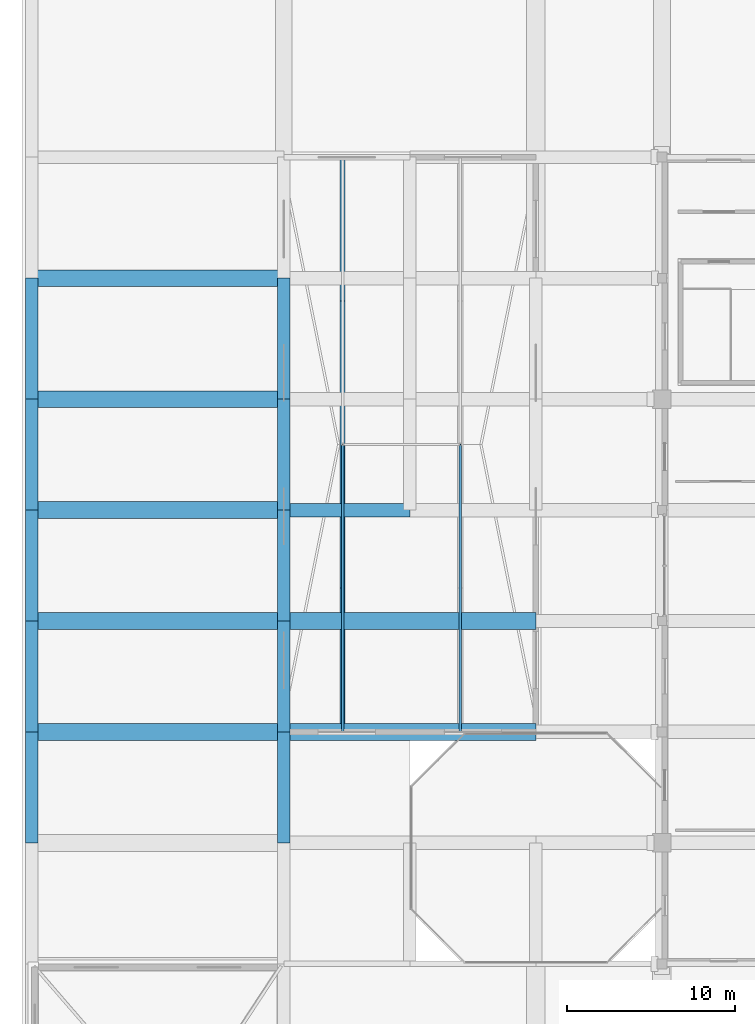
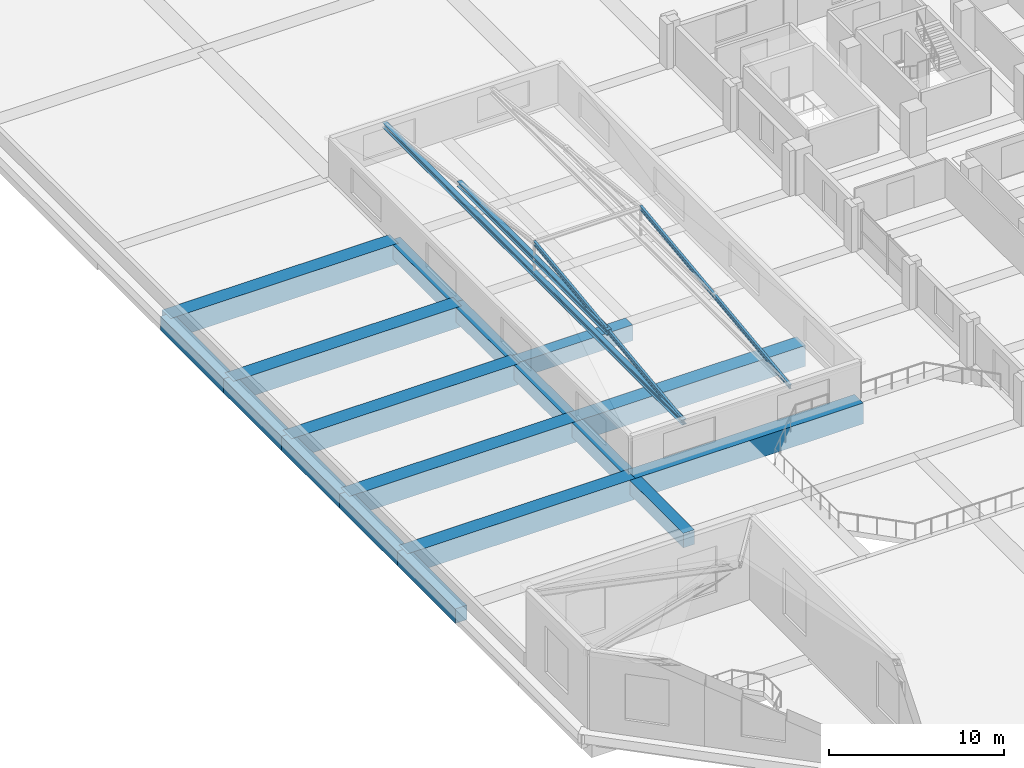
# One storey, part 4 of 49: 18 beams, 4 members.
"""IFC4 building model written with IfcOpenShell, lengths in metres."""

from ifc_helpers import new_model, si_unit, direction, frame, origin, origin_2d, place, context, subcontext, project, spatial, rectangle, i_section, extrude, material, material_profile, profile_set, type_object, element, save


model = new_model("IFC4")

# Units and contexts
model_context = context("Model", 3, precision=1e-05, world=origin(), true_north=direction((0.0, 1.0)))
body_context = subcontext(model_context, "Body", "Model", "MODEL_VIEW")
ifc_project = project(units=[si_unit("LENGTHUNIT", "METRE"), si_unit("AREAUNIT", "SQUARE_METRE"), si_unit("VOLUMEUNIT", "CUBIC_METRE"), si_unit("PLANEANGLEUNIT", "RADIAN"), si_unit("MASSUNIT", "GRAM", prefix="KILO")], contexts=[model_context])

# Site, building, storey
site_placement = place(None, origin())
site = spatial("IfcSite", under=ifc_project, at=site_placement, CompositionType="ELEMENT")
building_placement = place(site_placement, origin())
building = spatial("IfcBuilding", under=site, at=building_placement, Name="Akrevak Sports Hall", CompositionType="ELEMENT")
storey_placement = place(building_placement, frame((0.0, 0.0, 24.14990234375)))
storey = spatial("IfcBuildingStorey", under=building, at=storey_placement, Name="L04", CompositionType="ELEMENT", Elevation=24.14990234375)

# Beams
ifc_material_1 = material(Name="Concrete C50/60", Category="concrete")
ifc_material_profile_1 = material_profile(ifc_material_1, rectangle(XDim=1.0, YDim=1.449951171875, at=origin_2d()), Name="BM 1000x1450", Category="concrete")
ifc_profile_set_1 = profile_set([ifc_material_profile_1], Name="Concrete C50/60")
beam_type_1 = type_object("IfcBeamType", Name="STR-BM-LG1000x1450", PredefinedType="BEAM", material=ifc_profile_set_1)
for number, where, z_axis, x_axis, name in (
    (1, (0.0, 35.39990234375, -0.724853515625), (1.0, 0.0, 0.0), (0.0, 1.0, 0.0), "Girder F/1-3 (L04)"),
    (2, (15.0, 35.39990234375, -0.724853515625), (1.0, 0.0, 0.0), (0.0, 1.0, 0.0), "Girder F/3-5 (L04)"),
    (3, (0.0, 42.0, -0.724853515625), (1.0, 0.0, 0.0), (0.0, 1.0, 0.0), "Girder G/1-3 (L04)"),
    (4, (15.0, 42.0, -0.724853515625), (1.0, 0.0, 0.0), (0.0, 1.0, 0.0), "Girder G/3-5 (L04)"),
    (5, (0.0, 48.60009765625, -0.724853515625), (1.0, 0.0, 0.0), (0.0, 1.0, 0.0), "Girder H/1-3 (L04)"),
    (6, (0.0, 55.199951171875, -0.724853515625), (1.0, 0.0, 0.0), (0.0, 1.0, 0.0), "Girder I/1-3 (L04)"),
    (7, (0.0, 62.39990234375, -0.724853515625), (1.0, 0.0, 0.0), (0.0, 1.0, 0.0), "Girder J/1-3 (L04)"),
):
    element("IfcBeam", number, at=place(storey_placement, frame(where, z_axis=z_axis, x_axis=x_axis)), inside=storey, type_object=beam_type_1, Name=name, PredefinedType="BEAM", context=body_context, shape_type="SweptSolid", body=[
        extrude(rectangle(XDim=1.0, YDim=1.449951171875, at=origin_2d()), origin(), (0.0, 0.0, 1.0), 15.0),
    ])
ifc_material_profile_2 = material_profile(ifc_material_1, rectangle(XDim=0.75, YDim=1.0, at=origin_2d()), Name="BM 750x1000", Category="concrete")
ifc_profile_set_2 = profile_set([ifc_material_profile_2], Name="Concrete C50/60")
beam_type_2 = type_object("IfcBeamType", Name="STR-BM-RC750x1000", PredefinedType="BEAM", material=ifc_profile_set_2)
beam_1_placement = place(storey_placement, frame((0.0, 28.800048828125, -0.5), z_axis=(0.0, 1.0, 0.0), x_axis=(-1.0, 0.0, 0.0)))
element("IfcBeam", 8, at=beam_1_placement, inside=storey, type_object=beam_type_2, Name="Girder 1/E-F (L04)", PredefinedType="BEAM", context=body_context, shape_type="SweptSolid", body=[
    extrude(rectangle(XDim=0.75, YDim=1.0, at=origin_2d()), origin(), (0.0, 0.0, 1.0), 6.599853515625),
])
for number, where, z_axis, x_axis, name in (
    (9, (0.0, 35.39990234375, -0.5), (0.0, 1.0, 0.0), (-1.0, 0.0, 0.0), "Girder 1/F-G (L04)"),
    (10, (0.0, 42.0, -0.5), (0.0, 1.0, 0.0), (-1.0, 0.0, 0.0), "Girder 1/G-H (L04)"),
):
    element("IfcBeam", number, at=place(storey_placement, frame(where, z_axis=z_axis, x_axis=x_axis)), inside=storey, type_object=beam_type_2, Name=name, PredefinedType="BEAM", context=body_context, shape_type="SweptSolid", body=[
        extrude(rectangle(XDim=0.75, YDim=1.0, at=origin_2d()), origin(), (0.0, 0.0, 1.0), 6.60009765625),
    ])
beam_2_placement = place(storey_placement, frame((0.0, 48.60009765625, -0.5), z_axis=(0.0, 1.0, 0.0), x_axis=(-1.0, 0.0, 0.0)))
element("IfcBeam", 11, at=beam_2_placement, inside=storey, type_object=beam_type_2, Name="Girder 1/H-I (L04)", PredefinedType="BEAM", context=body_context, shape_type="SweptSolid", body=[
    extrude(rectangle(XDim=0.75, YDim=1.0, at=origin_2d()), origin(), (0.0, 0.0, 1.0), 6.599853515625),
])
beam_3_placement = place(storey_placement, frame((0.0, 55.199951171875, -0.5), z_axis=(0.0, 1.0, 0.0), x_axis=(-1.0, 0.0, 0.0)))
element("IfcBeam", 12, at=beam_3_placement, inside=storey, type_object=beam_type_2, Name="Girder 1/I-J (L04)", PredefinedType="BEAM", context=body_context, shape_type="SweptSolid", body=[
    extrude(rectangle(XDim=0.75, YDim=1.0, at=origin_2d()), origin(), (0.0, 0.0, 1.0), 7.199951171875),
])
beam_4_placement = place(storey_placement, frame((15.0, 28.800048828125, -0.5), z_axis=(0.0, 1.0, 0.0), x_axis=(-1.0, 0.0, 0.0)))
element("IfcBeam", 13, at=beam_4_placement, inside=storey, type_object=beam_type_2, Name="Girder 3/E-F (L04)", PredefinedType="BEAM", context=body_context, shape_type="SweptSolid", body=[
    extrude(rectangle(XDim=0.75, YDim=1.0, at=origin_2d()), origin(), (0.0, 0.0, 1.0), 6.599853515625),
])
for number, where, z_axis, x_axis, name in (
    (14, (15.0, 35.39990234375, -0.5), (0.0, 1.0, 0.0), (-1.0, 0.0, 0.0), "Girder 3/F-G (L04)"),
    (15, (15.0, 42.0, -0.5), (0.0, 1.0, 0.0), (-1.0, 0.0, 0.0), "Girder 3/G-H (L04)"),
):
    element("IfcBeam", number, at=place(storey_placement, frame(where, z_axis=z_axis, x_axis=x_axis)), inside=storey, type_object=beam_type_2, Name=name, PredefinedType="BEAM", context=body_context, shape_type="SweptSolid", body=[
        extrude(rectangle(XDim=0.75, YDim=1.0, at=origin_2d()), origin(), (0.0, 0.0, 1.0), 6.60009765625),
    ])
beam_5_placement = place(storey_placement, frame((15.0, 48.60009765625, -0.5), z_axis=(0.0, 1.0, 0.0), x_axis=(-1.0, 0.0, 0.0)))
element("IfcBeam", 16, at=beam_5_placement, inside=storey, type_object=beam_type_2, Name="Girder 3/H-I (L04)", PredefinedType="BEAM", context=body_context, shape_type="SweptSolid", body=[
    extrude(rectangle(XDim=0.75, YDim=1.0, at=origin_2d()), origin(), (0.0, 0.0, 1.0), 6.599853515625),
])
beam_6_placement = place(storey_placement, frame((15.0, 55.199951171875, -0.5), z_axis=(0.0, 1.0, 0.0), x_axis=(-1.0, 0.0, 0.0)))
element("IfcBeam", 17, at=beam_6_placement, inside=storey, type_object=beam_type_2, Name="Girder 3/I-J (L04)", PredefinedType="BEAM", context=body_context, shape_type="SweptSolid", body=[
    extrude(rectangle(XDim=0.75, YDim=1.0, at=origin_2d()), origin(), (0.0, 0.0, 1.0), 7.199951171875),
])
ifc_material_profile_3 = material_profile(ifc_material_1, rectangle(XDim=0.800048828125, YDim=1.10009765625, at=origin_2d()), Name="BM 800x1100", Category="concrete")
ifc_profile_set_3 = profile_set([ifc_material_profile_3], Name="Concrete C50/60")
beam_type_3 = type_object("IfcBeamType", Name="STR-BM-RC800x1100", PredefinedType="BEAM", material=ifc_profile_set_3)
beam_7_placement = place(storey_placement, frame((15.0, 48.60009765625, -0.5498046875), z_axis=(1.0, 0.0, 0.0), x_axis=(0.0, 1.0, 0.0)))
element("IfcBeam", 18, at=beam_7_placement, inside=storey, type_object=beam_type_3, Name="Girder H/3-4 (L04)", PredefinedType="BEAM", context=body_context, shape_type="SweptSolid", body=[
    extrude(rectangle(XDim=0.800048828125, YDim=1.10009765625, at=origin_2d()), origin(), (0.0, 0.0, 1.0), 7.5),
])

# Members
ifc_material_2 = material(Name="Steel S355", Category="steel")
ifc_material_profile_4 = material_profile(ifc_material_2, i_section(OverallWidth=0.300048828125, OverallDepth=0.360107421875, WebThickness=0.012451171875, FlangeThickness=0.0224609375, FilletRadius=0.027099609375, at=origin_2d()), Name="HEB 360", Category="steel")
ifc_profile_set_4 = profile_set([ifc_material_profile_4], Name="Steel S355")
member_type_1 = type_object("IfcMemberType", Name="STR-MEM-CHORD-HEB360", PredefinedType="CHORD", material=ifc_profile_set_4)
member_1_placement = place(storey_placement, frame((18.5, 43.949951171875, 3.465087890625), z_axis=(0.0, 1.0, 0.0), x_axis=(-1.0, 0.0, 0.0)))
element("IfcMember", 19, at=member_1_placement, inside=storey, type_object=member_type_1, Name="West Sports Hall Clerestory Monitor Roof Collar Tie Chord 1", PredefinedType="CHORD", context=body_context, shape_type="SweptSolid", body=[
    extrude(i_section(OverallWidth=0.300048828125, OverallDepth=0.360107421875, WebThickness=0.012451171875, FlangeThickness=0.0224609375, FilletRadius=0.027099609375, at=origin_2d()), origin(), (0.0, 0.0, 1.0), 17.10009765625),
])
member_2_placement = place(storey_placement, frame((18.5, 35.39990234375, 2.400146484375), z_axis=(0.0, 1.0, 0.0), x_axis=(-1.0, 0.0, 0.0)))
element("IfcMember", 20, at=member_2_placement, inside=storey, type_object=member_type_1, Name="West Sports Hall Clerestory Monitor Roof Bottom Tie Chord 1", PredefinedType="CHORD", context=body_context, shape_type="SweptSolid", body=[
    extrude(i_section(OverallWidth=0.300048828125, OverallDepth=0.360107421875, WebThickness=0.012451171875, FlangeThickness=0.0224609375, FilletRadius=0.027099609375, at=origin_2d()), origin(), (0.0, 0.0, 1.0), 34.2001953125),
])
ifc_material_profile_5 = material_profile(ifc_material_2, i_section(OverallWidth=0.14990234375, OverallDepth=0.300048828125, WebThickness=0.007080078125, FlangeThickness=0.0107421875, FilletRadius=0.014892578125, at=origin_2d()), Name="IPE 300", Category="steel")
ifc_profile_set_5 = profile_set([ifc_material_profile_5], Name="Steel S355")
member_type_2 = type_object("IfcMemberType", Name="STR-MEM-RAF-IPE300", PredefinedType="RAFTER", material=ifc_profile_set_5)
for number, where, z_axis, x_axis, name in (
    (21, (18.5, 35.39990234375, 2.400146484375), (0.0, 0.992332272014, 0.123598794167), (-1.0, 0.0, 0.0), "West Sports Hall Clerestory Monitor Roof South Steel Rafter 1"),
    (22, (25.5, 35.39990234375, 2.400146484375), (0.0, 0.992332272014, 0.123598794167), (-1.0, 0.0, 0.0), "West Sports Hall Clerestory Monitor Roof South Steel Rafter 2"),
):
    element("IfcMember", number, at=place(storey_placement, frame(where, z_axis=z_axis, x_axis=x_axis)), inside=storey, type_object=member_type_2, Name=name, PredefinedType="RAFTER", context=body_context, shape_type="SweptSolid", body=[
        extrude(i_section(OverallWidth=0.14990234375, OverallDepth=0.300048828125, WebThickness=0.007080078125, FlangeThickness=0.0107421875, FilletRadius=0.014892578125, at=origin_2d()), origin(), (0.0, 0.0, 1.0), 17.232177734375),
    ])

save(model, "model.ifc")
